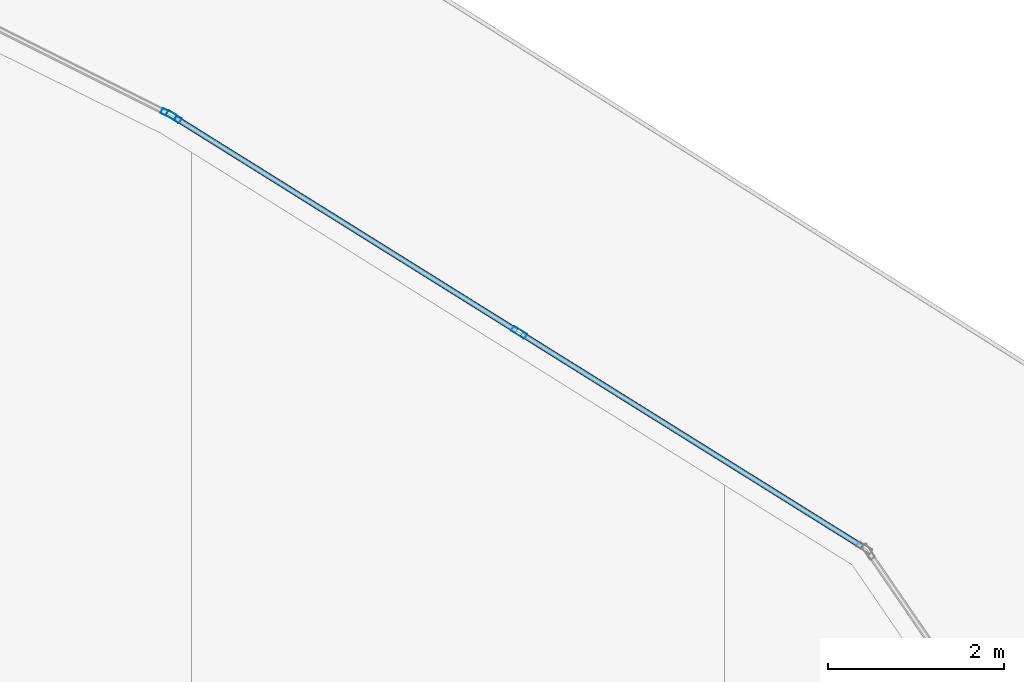
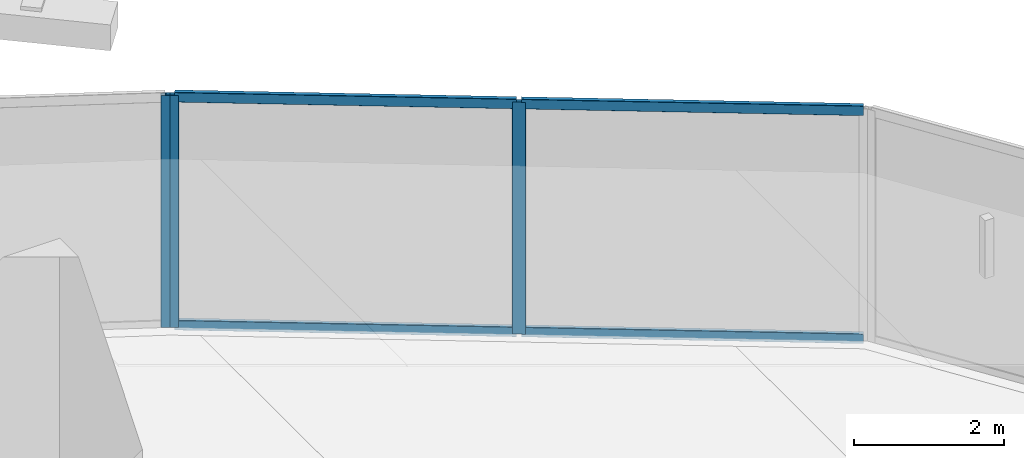
# One storey, part 25 of 44: 7 members, 2 elements without a shape of their own.
"""IFC4 building model written with IfcOpenShell, lengths in metres."""

from ifc_helpers import new_model, si_unit, direction, frame, origin, origin_2d, place, context, subcontext, project, spatial, hollow_rectangle, extrude, material, layer, layer_set, material_profile, profile_set, type_object, element, aggregate, save


model = new_model("IFC4")

# Units and contexts
model_context = context("Model", 3, precision=1e-05, world=origin(), true_north=direction((0.0, 1.0)))
body_context = subcontext(model_context, "Body", "Model", "MODEL_VIEW")
ifc_project = project(units=[si_unit("LENGTHUNIT", "METRE"), si_unit("AREAUNIT", "SQUARE_METRE"), si_unit("VOLUMEUNIT", "CUBIC_METRE"), si_unit("PLANEANGLEUNIT", "RADIAN"), si_unit("MASSUNIT", "GRAM", prefix="KILO")], contexts=[model_context])

# Site, building, storey
site_placement = place(None, origin())
site = spatial("IfcSite", under=ifc_project, at=site_placement, CompositionType="ELEMENT")
building_placement = place(site_placement, origin())
building = spatial("IfcBuilding", under=site, at=building_placement, Name="Qorvath Tower", CompositionType="ELEMENT")
storey_placement = place(building_placement, frame((0.0, 0.0, 113.85009765625)))
storey = spatial("IfcBuildingStorey", under=building, at=storey_placement, Name="L25", CompositionType="ELEMENT", Elevation=113.85009765625)

# Curtain wall, members
ifc_material_1 = material(Name="Anodised aluminium and triple low-E glass", Category="aluminium")
ifc_layer = layer(ifc_material_1, 0.179931640625)
ifc_layer_set = layer_set([ifc_layer], Name="CW-SYS-2")
curtain_wall_type = type_object("IfcCurtainWallType", Name="CW-SYS-2", PredefinedType="NOTDEFINED", material=ifc_layer_set)
curtain_wall_1_placement = place(storey_placement, origin())
curtain_wall_1 = element("IfcCurtainWall", 1, at=curtain_wall_1_placement, inside=storey, type_object=curtain_wall_type, Name="Curtain Wall CW-2 CW-T-L25-14.1", PredefinedType="NOTDEFINED")
ifc_material_2 = material(Name="Anodised aluminium 6063-T6", Category="aluminium")
ifc_material_profile_1 = material_profile(ifc_material_2, hollow_rectangle(XDim=0.06494140625, YDim=0.179931640625, WallThickness=0.00341796875, InnerFilletRadius=0.00341796875, OuterFilletRadius=0.007080078125, at=origin_2d()), Name="CWM 180x65")
ifc_profile_set_1 = profile_set([ifc_material_profile_1], Name="Anodised aluminium 6063-T6")
member_type_1 = type_object("IfcMemberType", Name="CWM-180", PredefinedType="MULLION", material=ifc_profile_set_1)
member_1_placement = place(storey_placement, frame((-7.25390625, 26.397216796875, 0.0), z_axis=(0.0, 0.0, 1.0), x_axis=(-0.529548597524, -0.848279601818, 0.0)))
member_1 = element("IfcMember", 2, at=member_1_placement, type_object=member_type_1, Name="CW-2 mullion 2", PredefinedType="MULLION", context=body_context, shape_type="SweptSolid", body=[
    extrude(hollow_rectangle(XDim=0.06494140625, YDim=0.179931640625, WallThickness=0.00341796875, InnerFilletRadius=0.00341796875, OuterFilletRadius=0.007080078125, at=origin_2d()), origin(), (0.0, 0.0, 1.0), 3.77001953125),
])
member_2_placement = place(storey_placement, frame((-11.172119140625, 28.84326171875, 0.0), z_axis=(0.0, 0.0, 1.0), x_axis=(-0.529548597524, -0.848279601818, 0.0)))
member_2 = element("IfcMember", 3, at=member_2_placement, type_object=member_type_1, Name="CW-2 mullion 3", PredefinedType="MULLION", context=body_context, shape_type="SweptSolid", body=[
    extrude(hollow_rectangle(XDim=0.06494140625, YDim=0.179931640625, WallThickness=0.00341796875, InnerFilletRadius=0.00341796875, OuterFilletRadius=0.007080078125, at=origin_2d()), origin(), (0.0, 0.0, 1.0), 3.77001953125),
])

# Curtain wall, member
curtain_wall_2_placement = place(storey_placement, origin())
curtain_wall_2 = element("IfcCurtainWall", 4, at=curtain_wall_2_placement, inside=storey, type_object=curtain_wall_type, Name="Curtain Wall CW-2 CW-T-L25-15.1", PredefinedType="NOTDEFINED")
member_3_placement = place(storey_placement, frame((-11.228759765625, 28.875, 0.0), z_axis=(0.0, 0.0, 1.0), x_axis=(-0.447181364469, -0.89444330579, 0.0)))
member_3 = element("IfcMember", 5, at=member_3_placement, type_object=member_type_1, Name="CW-2 mullion 1", PredefinedType="MULLION", context=body_context, shape_type="SweptSolid", body=[
    extrude(hollow_rectangle(XDim=0.06494140625, YDim=0.179931640625, WallThickness=0.00341796875, InnerFilletRadius=0.00341796875, OuterFilletRadius=0.007080078125, at=origin_2d()), origin(), (0.0, 0.0, 1.0), 3.77001953125),
])
aggregate(curtain_wall_2, [member_3])

# Member
ifc_material_3 = material(Name="Anodised aluminium 6063-T6", Category="aluminium")
ifc_material_profile_2 = material_profile(ifc_material_3, hollow_rectangle(XDim=0.06494140625, YDim=0.159912109375, WallThickness=0.00341796875, InnerFilletRadius=0.00341796875, OuterFilletRadius=0.007080078125, at=origin_2d()), Name="CWT 160x65")
ifc_profile_set_2 = profile_set([ifc_material_profile_2], Name="Anodised aluminium 6063-T6")
member_type_2 = type_object("IfcMemberType", Name="CWT-160", PredefinedType="USERDEFINED", material=ifc_profile_set_2)
member_4_placement = place(storey_placement, frame((-3.363525390625, 23.968505859375, 0.032470703125), z_axis=(-0.848257229493, 0.529584433885, 0.0), x_axis=(-0.529584433885, -0.848257229493, 0.0)))
member_4 = element("IfcMember", 6, at=member_4_placement, type_object=member_type_2, Name="CW-2 transom 1.1", ObjectType="TRANSOM", PredefinedType="USERDEFINED", context=body_context, shape_type="SweptSolid", body=[
    extrude(hollow_rectangle(XDim=0.06494140625, YDim=0.159912109375, WallThickness=0.00341796875, InnerFilletRadius=0.00341796875, OuterFilletRadius=0.007080078125, at=origin_2d()), origin(), (0.0, 0.0, 1.0), 4.5537109375),
])

member_5_placement = place(storey_placement, frame((-3.363525390625, 23.968505859375, 3.737548828125), z_axis=(-0.848257229493, 0.529584433885, 0.0), x_axis=(-0.529584433885, -0.848257229493, 0.0)))
member_5 = element("IfcMember", 7, at=member_5_placement, type_object=member_type_2, Name="CW-2 transom 1.2", ObjectType="TRANSOM", PredefinedType="USERDEFINED", context=body_context, shape_type="SweptSolid", body=[
    extrude(hollow_rectangle(XDim=0.06494140625, YDim=0.159912109375, WallThickness=0.00341796875, InnerFilletRadius=0.00341796875, OuterFilletRadius=0.007080078125, at=origin_2d()), origin(), (0.0, 0.0, 1.0), 4.5537109375),
])

member_6_placement = place(storey_placement, frame((-7.281494140625, 26.41455078125, 0.032470703125), z_axis=(-0.848296346678, 0.529521773124, 0.0), x_axis=(-0.529521773124, -0.848296346678, 0.0)))
member_6 = element("IfcMember", 8, at=member_6_placement, type_object=member_type_2, Name="CW-2 transom 2.1", ObjectType="TRANSOM", PredefinedType="USERDEFINED", context=body_context, shape_type="SweptSolid", body=[
    extrude(hollow_rectangle(XDim=0.06494140625, YDim=0.159912109375, WallThickness=0.00341796875, InnerFilletRadius=0.00341796875, OuterFilletRadius=0.007080078125, at=origin_2d()), origin(), (0.0, 0.0, 1.0), 4.553955078125),
])

member_7_placement = place(storey_placement, frame((-7.281494140625, 26.41455078125, 3.737548828125), z_axis=(-0.848296346678, 0.529521773124, 0.0), x_axis=(-0.529521773124, -0.848296346678, 0.0)))
member_7 = element("IfcMember", 9, at=member_7_placement, type_object=member_type_2, Name="CW-2 transom 2.2", ObjectType="TRANSOM", PredefinedType="USERDEFINED", context=body_context, shape_type="SweptSolid", body=[
    extrude(hollow_rectangle(XDim=0.06494140625, YDim=0.159912109375, WallThickness=0.00341796875, InnerFilletRadius=0.00341796875, OuterFilletRadius=0.007080078125, at=origin_2d()), origin(), (0.0, 0.0, 1.0), 4.553955078125),
])

aggregate(curtain_wall_1, [member_1, member_2, member_4, member_5, member_6, member_7])

save(model, "model.ifc")
